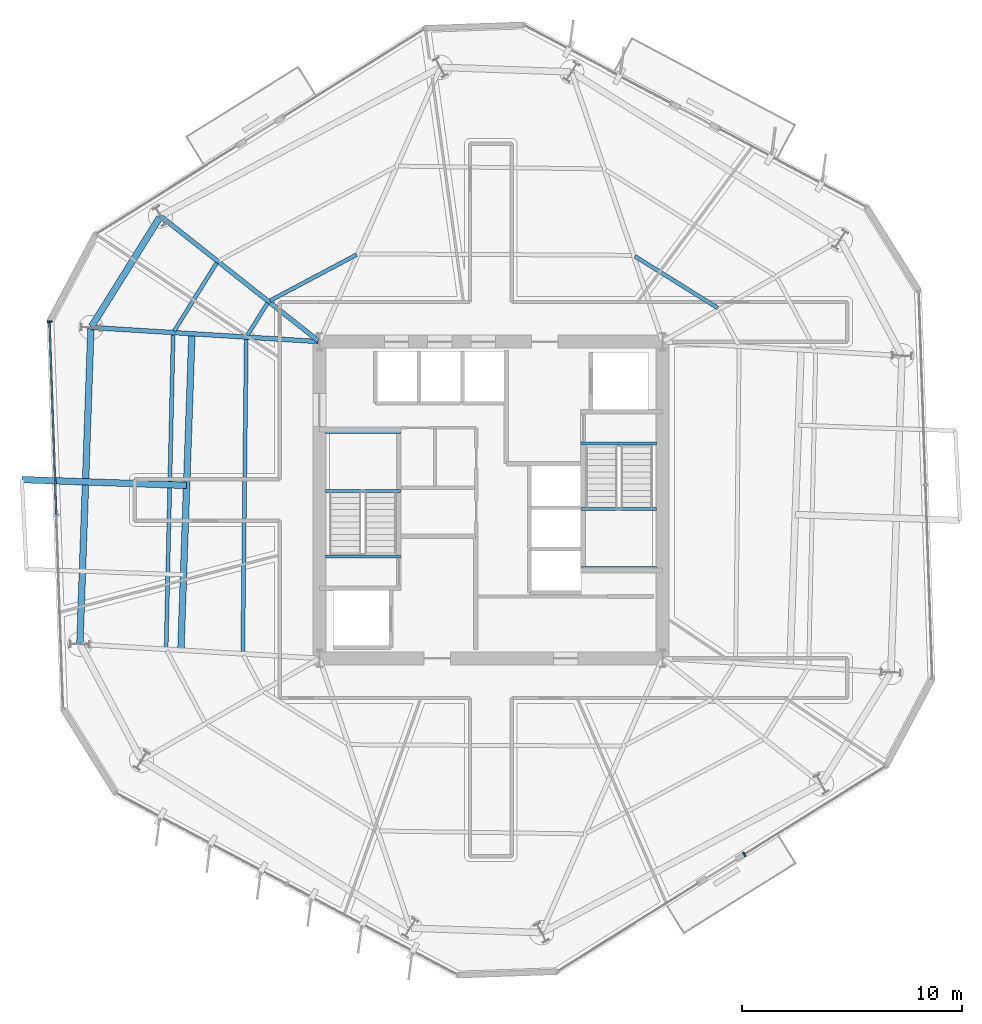
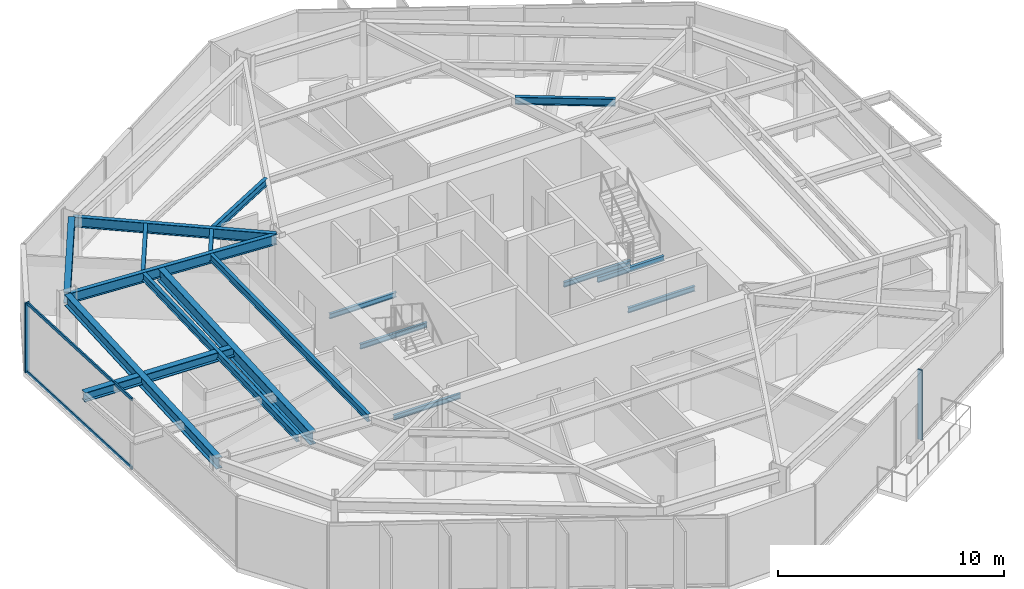
# One storey, part 3 of 12: 18 beams, 4 members, 2 elements without a shape of their own.
"""IFC4 building model written with IfcOpenShell, lengths in metres."""

from ifc_helpers import new_model, si_unit, direction, frame, origin, origin_2d, place, context, subcontext, project, spatial, rectangle, i_section, extrude, material, layer, layer_set, material_profile, profile_set, type_object, element, aggregate, save


model = new_model("IFC4")

# Units and contexts
model_context = context("Model", 3, precision=1e-05, world=origin(), true_north=direction((0.0, 1.0)))
body_context = subcontext(model_context, "Body", "Model", "MODEL_VIEW")
ifc_project = project(units=[si_unit("LENGTHUNIT", "METRE"), si_unit("AREAUNIT", "SQUARE_METRE"), si_unit("VOLUMEUNIT", "CUBIC_METRE"), si_unit("PLANEANGLEUNIT", "RADIAN"), si_unit("MASSUNIT", "GRAM", prefix="KILO")], contexts=[model_context])

# Site, building, storey
site_placement = place(None, origin())
site = spatial("IfcSite", under=ifc_project, at=site_placement, CompositionType="ELEMENT")
building_placement = place(site_placement, origin())
building = spatial("IfcBuilding", under=site, at=building_placement, Name="Kranzbogen Civic Tower", CompositionType="ELEMENT")
storey_placement = place(building_placement, frame((0.0, 0.0, 150.39990234375)))
storey = spatial("IfcBuildingStorey", under=building, at=storey_placement, Name="L36", CompositionType="ELEMENT", Elevation=150.39990234375)

# Curtain wall, member
ifc_material_1 = material(Name="Pale Anodised Aluminium", Category="aluminium")
ifc_layer = layer(ifc_material_1, 0.219970703125, Name="Pale Anodised Aluminium")
ifc_layer_set = layer_set([ifc_layer], Name="Pale Anodised Aluminium")
curtain_wall_type = type_object("IfcCurtainWallType", Name="Zone 2 Stick Curtain Wall System CW-03", PredefinedType="USERDEFINED", material=ifc_layer_set)
curtain_wall_1_placement = place(storey_placement, origin())
curtain_wall_1 = element("IfcCurtainWall", 1, at=curtain_wall_1_placement, inside=storey, type_object=curtain_wall_type, Name="L36 curtain wall CW-L36-F3", ObjectType="STICK CURTAIN WALL", PredefinedType="USERDEFINED")
ifc_material_profile_1 = material_profile(ifc_material_1, rectangle(XDim=0.074951171875, YDim=0.219970703125, at=origin_2d()), Name="ALU-M 75x220")
ifc_profile_set_1 = profile_set([ifc_material_profile_1], Name="Pale Anodised Aluminium")
member_type_1 = type_object("IfcMemberType", Name="Curtain Wall Mullion ALU-M 75x220", PredefinedType="MULLION", material=ifc_profile_set_1)
member_1_placement = place(storey_placement, frame((4.93310546875, 33.10791015625, 0.0), z_axis=(0.0, 0.0, 1.0), x_axis=(0.034867774782, -0.999391934269, 0.0)))
member_1 = element("IfcMember", 2, at=member_1_placement, type_object=member_type_1, Name="CW-03 mullion 1", PredefinedType="MULLION", context=body_context, shape_type="SweptSolid", body=[
    extrude(rectangle(XDim=0.074951171875, YDim=0.219970703125, at=origin_2d()), origin(), (0.0, 0.0, 1.0), 3.760009765625),
])

curtain_wall_2_placement = place(storey_placement, origin())
curtain_wall_2 = element("IfcCurtainWall", 3, at=curtain_wall_2_placement, inside=storey, type_object=curtain_wall_type, Name="L36 curtain wall CW-L36-F5-S2", ObjectType="STICK CURTAIN WALL", PredefinedType="USERDEFINED")
member_2_placement = place(storey_placement, frame((36.521484375, 8.8837890625, 0.0), z_axis=(0.0, 0.0, 1.0), x_axis=(0.848071889421, 0.529881185148, 0.0)))
member_2 = element("IfcMember", 4, at=member_2_placement, type_object=member_type_1, Name="CW-03 mullion 1", PredefinedType="MULLION", context=body_context, shape_type="SweptSolid", body=[
    extrude(rectangle(XDim=0.074951171875, YDim=0.219970703125, at=origin_2d()), origin(), (0.0, 0.0, 1.0), 3.760009765625),
])
aggregate(curtain_wall_2, [member_2])

# Member
ifc_material_profile_2 = material_profile(ifc_material_1, rectangle(XDim=0.074951171875, YDim=0.1650390625, at=origin_2d()), Name="ALU-T 75x165")
ifc_profile_set_2 = profile_set([ifc_material_profile_2], Name="Pale Anodised Aluminium")
member_type_2 = type_object("IfcMemberType", Name="Curtain Wall Transom ALU-T 75x165", PredefinedType="USERDEFINED", material=ifc_profile_set_2)
member_3_placement = place(storey_placement, frame((4.93408203125, 33.078125, 0.030029296875), z_axis=(0.034875811675, -0.999391653837, 0.0), x_axis=(0.999391653837, 0.034875811675, 0.0)))
member_3 = element("IfcMember", 5, at=member_3_placement, type_object=member_type_2, Name="CW-03 transom 1.1", ObjectType="TRANSOM", PredefinedType="USERDEFINED", context=body_context, shape_type="SweptSolid", body=[
    extrude(rectangle(XDim=0.074951171875, YDim=0.1650390625, at=origin_2d()), origin(), (0.0, 0.0, 1.0), 8.743408203125),
])

member_4_placement = place(storey_placement, frame((4.93408203125, 33.078125, 3.72998046875), z_axis=(0.034875811675, -0.999391653837, 0.0), x_axis=(0.999391653837, 0.034875811675, 0.0)))
member_4 = element("IfcMember", 6, at=member_4_placement, type_object=member_type_2, Name="CW-03 transom 1.2", ObjectType="TRANSOM", PredefinedType="USERDEFINED", context=body_context, shape_type="SweptSolid", body=[
    extrude(rectangle(XDim=0.074951171875, YDim=0.1650390625, at=origin_2d()), origin(), (0.0, 0.0, 1.0), 8.743408203125),
])

aggregate(curtain_wall_1, [member_1, member_3, member_4])

# Beams
ifc_material_2 = material(Name="Steel S355", Category="steel")
ifc_material_profile_3 = material_profile(ifc_material_2, i_section(OverallWidth=0.300048828125, OverallDepth=0.5, WebThickness=0.014404296875, FlangeThickness=0.028076171875, at=origin_2d()), Name="HEB 500")
ifc_profile_set_3 = profile_set([ifc_material_profile_3], Name="Steel S355")
beam_type_1 = type_object("IfcBeamType", Name="Perimeter Tube Spandrel Beam HEB 500", PredefinedType="SPANDREL", material=ifc_profile_set_3)
beam_1_placement = place(storey_placement, frame((11.1630859375, 25.6640625, 3.5), z_axis=(-0.999389092165, 0.034949141084, 0.0), x_axis=(-0.034949141084, -0.999389092165, 0.0)))
element("IfcBeam", 7, at=beam_1_placement, inside=storey, type_object=beam_type_1, Name="L37 back-spanned terrace beam L37-TB1-1", PredefinedType="SPANDREL", context=body_context, shape_type="SweptSolid", body=[
    extrude(i_section(OverallWidth=0.300048828125, OverallDepth=0.5, WebThickness=0.014404296875, FlangeThickness=0.028076171875, at=origin_2d()), origin(), (0.0, 0.0, 1.0), 7.49560546875),
])
ifc_material_profile_4 = material_profile(ifc_material_2, i_section(OverallWidth=0.300048828125, OverallDepth=0.60009765625, WebThickness=0.015380859375, FlangeThickness=0.030029296875, at=origin_2d()), Name="HEB 600")
ifc_profile_set_4 = profile_set([ifc_material_profile_4], Name="Steel S355")
beam_type_2 = type_object("IfcBeamType", Name="Perimeter Tube Spandrel Beam HEB 600", PredefinedType="SPANDREL", material=ifc_profile_set_4)
beam_2_placement = place(storey_placement, frame((9.945068359375, 37.85693359375, 3.460205078125), z_axis=(-0.529863902903, -0.848082687242, 0.0), x_axis=(0.848082687242, -0.529863902903, 0.0)))
element("IfcBeam", 8, at=beam_2_placement, inside=storey, type_object=beam_type_2, Name="L36 perimeter spandrel beam 11", PredefinedType="SPANDREL", context=body_context, shape_type="SweptSolid", body=[
    extrude(i_section(OverallWidth=0.300048828125, OverallDepth=0.60009765625, WebThickness=0.015380859375, FlangeThickness=0.030029296875, at=origin_2d()), origin(), (0.0, 0.0, 1.0), 5.850830078125),
])
beam_3_placement = place(storey_placement, frame((6.81103515625, 32.783935546875, 3.460205078125), z_axis=(-0.034924229103, -0.999389963038, 0.0), x_axis=(0.999389963038, -0.034924229103, 0.0)))
element("IfcBeam", 9, at=beam_3_placement, inside=storey, type_object=beam_type_2, Name="L36 perimeter spandrel beam 12", PredefinedType="SPANDREL", context=body_context, shape_type="SweptSolid", body=[
    extrude(i_section(OverallWidth=0.300048828125, OverallDepth=0.60009765625, WebThickness=0.015380859375, FlangeThickness=0.030029296875, at=origin_2d()), origin(), (0.0, 0.0, 1.0), 14.288818359375),
])
ifc_material_profile_5 = material_profile(ifc_material_2, i_section(OverallWidth=0.300048828125, OverallDepth=0.699951171875, WebThickness=0.01708984375, FlangeThickness=0.031982421875, at=origin_2d()), Name="HEB 700")
ifc_profile_set_5 = profile_set([ifc_material_profile_5], Name="Steel S355")
beam_type_3 = type_object("IfcBeamType", Name="Perimeter Tube Spandrel Beam HEB 700", PredefinedType="SPANDREL", material=ifc_profile_set_5)
beam_4_placement = place(storey_placement, frame((11.404052734375, 32.55908203125, 3.400146484375), z_axis=(-0.034868227602, -0.99939191847, 0.0), x_axis=(0.99939191847, -0.034868227602, 0.0)))
element("IfcBeam", 10, at=beam_4_placement, inside=storey, type_object=beam_type_3, Name="L37 balcony back-span header girder L37-TB1", PredefinedType="SPANDREL", context=body_context, shape_type="SweptSolid", body=[
    extrude(i_section(OverallWidth=0.300048828125, OverallDepth=0.699951171875, WebThickness=0.01708984375, FlangeThickness=0.031982421875, at=origin_2d()), origin(), (0.0, 0.0, 1.0), 14.395751953125),
])
ifc_material_profile_6 = material_profile(ifc_material_2, i_section(OverallWidth=0.2099609375, OverallDepth=0.550048828125, WebThickness=0.010986328125, FlangeThickness=0.01708984375, at=origin_2d()), Name="IPE 550")
ifc_profile_set_6 = profile_set([ifc_material_profile_6], Name="Steel S355")
beam_type_4 = type_object("IfcBeamType", Name="Radial Tower Floor Girder IPE 550", PredefinedType="BEAM", material=ifc_profile_set_6)
beam_5_placement = place(storey_placement, frame((10.02392578125, 37.87109375, 3.485107421875), z_axis=(0.78457455683, -0.620034486763, 0.0), x_axis=(0.620034486763, 0.78457455683, 0.0)))
element("IfcBeam", 11, at=beam_5_placement, inside=storey, type_object=beam_type_4, Name="L36 radial floor girder 11", PredefinedType="BEAM", context=body_context, shape_type="SweptSolid", body=[
    extrude(i_section(OverallWidth=0.2099609375, OverallDepth=0.550048828125, WebThickness=0.010986328125, FlangeThickness=0.01708984375, at=origin_2d()), origin(), (0.0, 0.0, 1.0), 9.086669921875),
])
beam_6_placement = place(storey_placement, frame((6.873046875, 32.840087890625, 3.485107421875), z_axis=(0.998086872961, -0.061827130147, 0.0), x_axis=(0.061827130147, 0.998086872961, 0.0)))
element("IfcBeam", 12, at=beam_6_placement, inside=storey, type_object=beam_type_4, Name="L36 radial floor girder 12", PredefinedType="BEAM", context=body_context, shape_type="SweptSolid", body=[
    extrude(i_section(OverallWidth=0.2099609375, OverallDepth=0.550048828125, WebThickness=0.010986328125, FlangeThickness=0.01708984375, at=origin_2d()), origin(), (0.0, 0.0, 1.0), 10.28662109375),
])
ifc_material_profile_7 = material_profile(ifc_material_2, i_section(OverallWidth=0.179931640625, OverallDepth=0.39990234375, WebThickness=0.008544921875, FlangeThickness=0.013427734375, at=origin_2d()), Name="IPE 400")
ifc_profile_set_7 = profile_set([ifc_material_profile_7], Name="Steel S355")
beam_type_5 = type_object("IfcBeamType", Name="Secondary Composite Floor Joist IPE 400", PredefinedType="JOIST", material=ifc_profile_set_7)
beam_7_placement = place(storey_placement, frame((35.320068359375, 33.72412109375, 3.56005859375), z_axis=(-0.848093834398, 0.529846060716, 0.0), x_axis=(-0.529846060716, -0.848093834398, 0.0)))
element("IfcBeam", 13, at=beam_7_placement, inside=storey, type_object=beam_type_5, Name="L36 secondary floor joist 2.08", PredefinedType="JOIST", context=body_context, shape_type="SweptSolid", body=[
    extrude(i_section(OverallWidth=0.179931640625, OverallDepth=0.39990234375, WebThickness=0.008544921875, FlangeThickness=0.013427734375, at=origin_2d()), origin(), (0.0, 0.0, 1.0), 4.4501953125),
])
beam_8_placement = place(storey_placement, frame((18.888916015625, 36.153076171875, 3.56005859375), z_axis=(-0.882991399158, -0.469389165844, 0.0), x_axis=(0.469389165844, -0.882991399158, 0.0)))
element("IfcBeam", 14, at=beam_8_placement, inside=storey, type_object=beam_type_5, Name="L36 secondary floor joist 2.10", PredefinedType="JOIST", context=body_context, shape_type="SweptSolid", body=[
    extrude(i_section(OverallWidth=0.179931640625, OverallDepth=0.39990234375, WebThickness=0.008544921875, FlangeThickness=0.013427734375, at=origin_2d()), origin(), (0.0, 0.0, 1.0), 4.45068359375),
])
beam_9_placement = place(storey_placement, frame((12.534912109375, 35.784912109375, 3.56005859375), z_axis=(-0.529867065107, -0.848080711557, 0.0), x_axis=(0.848080711557, -0.529867065107, 0.0)))
element("IfcBeam", 15, at=beam_9_placement, inside=storey, type_object=beam_type_5, Name="L36 secondary floor joist 1.11", PredefinedType="JOIST", context=body_context, shape_type="SweptSolid", body=[
    extrude(i_section(OverallWidth=0.179931640625, OverallDepth=0.39990234375, WebThickness=0.008544921875, FlangeThickness=0.013427734375, at=origin_2d()), origin(), (0.0, 0.0, 1.0), 3.6611328125),
])
beam_10_placement = place(storey_placement, frame((14.845947265625, 33.958984375, 3.56005859375), z_axis=(-0.529572623603, -0.84826460278, 0.0), x_axis=(0.84826460278, -0.529572623603, 0.0)))
element("IfcBeam", 16, at=beam_10_placement, inside=storey, type_object=beam_type_5, Name="L36 secondary floor joist 2.11", PredefinedType="JOIST", context=body_context, shape_type="SweptSolid", body=[
    extrude(i_section(OverallWidth=0.179931640625, OverallDepth=0.39990234375, WebThickness=0.008544921875, FlangeThickness=0.013427734375, at=origin_2d()), origin(), (0.0, 0.0, 1.0), 1.75048828125),
])
beam_11_placement = place(storey_placement, frame((10.551025390625, 32.531982421875, 3.56005859375), z_axis=(-0.022402523442, -0.999749031979, 0.0), x_axis=(0.999749031979, -0.022402523442, 0.0)))
element("IfcBeam", 17, at=beam_11_placement, inside=storey, type_object=beam_type_5, Name="L36 secondary floor joist 1.12", PredefinedType="JOIST", context=body_context, shape_type="SweptSolid", body=[
    extrude(i_section(OverallWidth=0.179931640625, OverallDepth=0.39990234375, WebThickness=0.008544921875, FlangeThickness=0.013427734375, at=origin_2d()), origin(), (0.0, 0.0, 1.0), 14.24365234375),
])
beam_12_placement = place(storey_placement, frame((13.875, 32.325927734375, 3.56005859375), z_axis=(-0.011160516663, -0.999937719494, 0.0), x_axis=(0.999937719494, -0.011160516663, 0.0)))
element("IfcBeam", 18, at=beam_12_placement, inside=storey, type_object=beam_type_5, Name="L36 secondary floor joist 2.12", PredefinedType="JOIST", context=body_context, shape_type="SweptSolid", body=[
    extrude(i_section(OverallWidth=0.179931640625, OverallDepth=0.39990234375, WebThickness=0.008544921875, FlangeThickness=0.013427734375, at=origin_2d()), origin(), (0.0, 0.0, 1.0), 14.240966796875),
])
ifc_material_profile_8 = material_profile(ifc_material_2, i_section(OverallWidth=0.135009765625, OverallDepth=0.27001953125, WebThickness=0.006591796875, FlangeThickness=0.01025390625, at=origin_2d()), Name="IPE 270")
ifc_profile_set_8 = profile_set([ifc_material_profile_8], Name="Steel S355")
beam_type_6 = type_object("IfcBeamType", Name="Stair Landing Support Beam IPE 270", PredefinedType="JOIST", material=ifc_profile_set_8)
for number, where, z_axis, x_axis, name in (
    (19, (20.8798828125, 22.43994140625, -0.375), (-1.0, 0.0, 0.0), (0.0, -1.0, 0.0), "L36 ST-T1 stair floor header beam"),
    (20, (20.8798828125, 25.39990234375, 1.6650390625), (-1.0, 0.0, 0.0), (0.0, -1.0, 0.0), "L36 ST-T1 landing support beam 1.1"),
    (21, (20.8798828125, 28.10009765625, 1.6650390625), (-1.0, 0.0, 0.0), (0.0, -1.0, 0.0), "L36 ST-T1 landing support beam 1.2"),
    (22, (29.1201171875, 27.56005859375, -0.375), (1.0, 0.0, 0.0), (0.0, 1.0, 0.0), "L36 ST-T2 stair floor header beam"),
    (23, (29.1201171875, 24.60009765625, 1.6650390625), (1.0, 0.0, 0.0), (0.0, 1.0, 0.0), "L36 ST-T2 landing support beam 1.1"),
    (24, (29.1201171875, 21.89990234375, 1.6650390625), (1.0, 0.0, 0.0), (0.0, 1.0, 0.0), "L36 ST-T2 landing support beam 1.2"),
):
    element("IfcBeam", number, at=place(storey_placement, frame(where, z_axis=z_axis, x_axis=x_axis)), inside=storey, type_object=beam_type_6, Name=name, PredefinedType="JOIST", context=body_context, shape_type="SweptSolid", body=[
        extrude(i_section(OverallWidth=0.135009765625, OverallDepth=0.27001953125, WebThickness=0.006591796875, FlangeThickness=0.01025390625, at=origin_2d()), origin(), (0.0, 0.0, 1.0), 3.409912109375),
    ])

save(model, "model.ifc")
